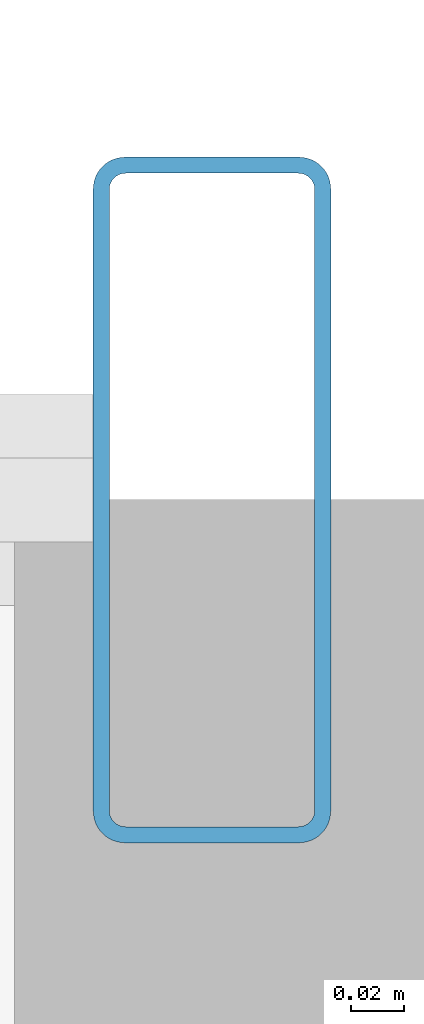
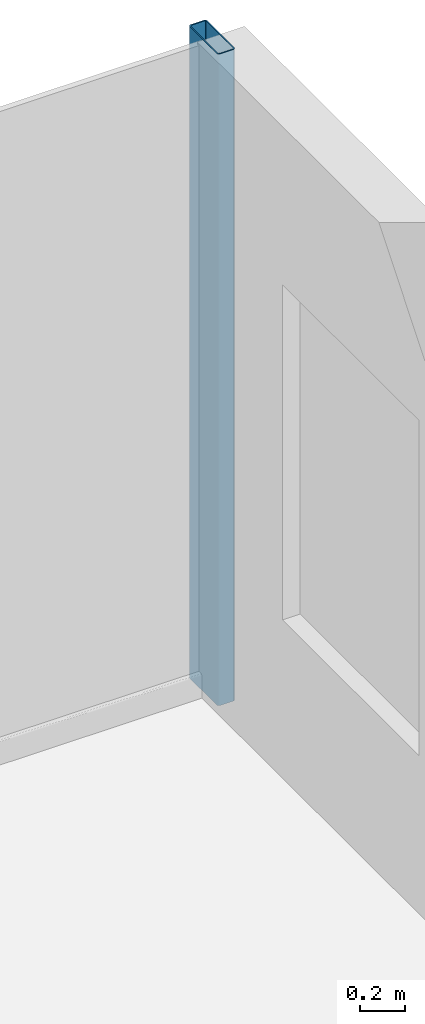
# One storey, part 14 of 26: 1 member, 1 element without a shape of its own.
"""IFC4 building model written with IfcOpenShell, lengths in metres."""

from ifc_helpers import new_model, si_unit, direction, frame, origin, origin_2d, place, context, subcontext, project, spatial, hollow_rectangle, extrude, source, transform, mapped, material, layer, layer_set, material_profile, profile_set, type_object, element, aggregate, save


model = new_model("IFC4")

# Units and contexts
model_context = context("Model", 3, precision=1e-05, world=origin(), true_north=direction((0.0, 1.0)))
body_context = subcontext(model_context, "Body", "Model", "MODEL_VIEW")
ifc_project = project(units=[si_unit("LENGTHUNIT", "METRE"), si_unit("AREAUNIT", "SQUARE_METRE"), si_unit("VOLUMEUNIT", "CUBIC_METRE"), si_unit("PLANEANGLEUNIT", "RADIAN"), si_unit("MASSUNIT", "GRAM", prefix="KILO")], contexts=[model_context])

# Site, building, storey
site_placement = place(None, origin())
site = spatial("IfcSite", under=ifc_project, at=site_placement, CompositionType="ELEMENT")
building_placement = place(site_placement, origin())
building = spatial("IfcBuilding", under=site, at=building_placement, Name="Nefas-Gora Pilgrimage Tower", CompositionType="ELEMENT")
storey_placement = place(building_placement, frame((0.0, 0.0, 140.199951171875)))
storey = spatial("IfcBuildingStorey", under=building, at=storey_placement, Name="L34", CompositionType="ELEMENT", Elevation=140.199951171875)

# Curtain wall, member
ifc_material_1 = material(Name="Dark ceramic-fritted solar-control aluminium-glass curtain wall", Category="aluminium")
ifc_layer = layer(ifc_material_1, 0.219970703125)
ifc_layer_set = layer_set([ifc_layer], Name="Dark ceramic-fritted solar-control aluminium-glass curtain wall")
curtain_wall_type = type_object("IfcCurtainWallType", Name="CW-SYS-2", PredefinedType="NOTDEFINED", material=ifc_layer_set)
curtain_wall_placement = place(storey_placement, origin())
curtain_wall = element("IfcCurtainWall", 1, at=curtain_wall_placement, inside=storey, type_object=curtain_wall_type, Name="L34 Unitised Curtain Wall CW2", PredefinedType="NOTDEFINED")
ifc_material_2 = material(Name="Anodised architectural aluminium", Category="aluminium")
ifc_material_profile = material_profile(ifc_material_2, hollow_rectangle(XDim=0.090087890625, YDim=0.260009765625, WallThickness=0.006103515625, InnerFilletRadius=0.006103515625, OuterFilletRadius=0.011962890625, at=origin_2d()), Name="ALU MULLION 90x260")
ifc_profile_set = profile_set([ifc_material_profile], Name="Anodised architectural aluminium")
member_type = type_object("IfcMemberType", Name="CWM-MUL-2", PredefinedType="MULLION", material=ifc_profile_set)
shared_shape = source(origin(), body_context, "Body", "SweptSolid", [
    extrude(hollow_rectangle(XDim=0.090087890625, YDim=0.260009765625, WallThickness=0.006103515625, InnerFilletRadius=0.006103515625, OuterFilletRadius=0.011962890625, at=origin_2d()), origin(), (0.0, 0.0, 1.0), 3.5),
])
member_placement = place(storey_placement, frame((28.824951171875, 23.02001953125, 0.0), z_axis=(0.0, 0.0, 1.0), x_axis=(-1.0, 0.0, 0.0)))
member = element("IfcMember", 2, at=member_placement, type_object=member_type, Name="CW2 Mullion 1", PredefinedType="MULLION", context=body_context, shape_type="MappedRepresentation", body=[
    mapped(shared_shape, transform((0.0, 0.0, 0.0), x_axis=(1.0, 0.0, 0.0), y_axis=(0.0, 1.0, 0.0), z_axis=(0.0, 0.0, 1.0), scale=1.0)),
])
aggregate(curtain_wall, [member])

save(model, "model.ifc")
